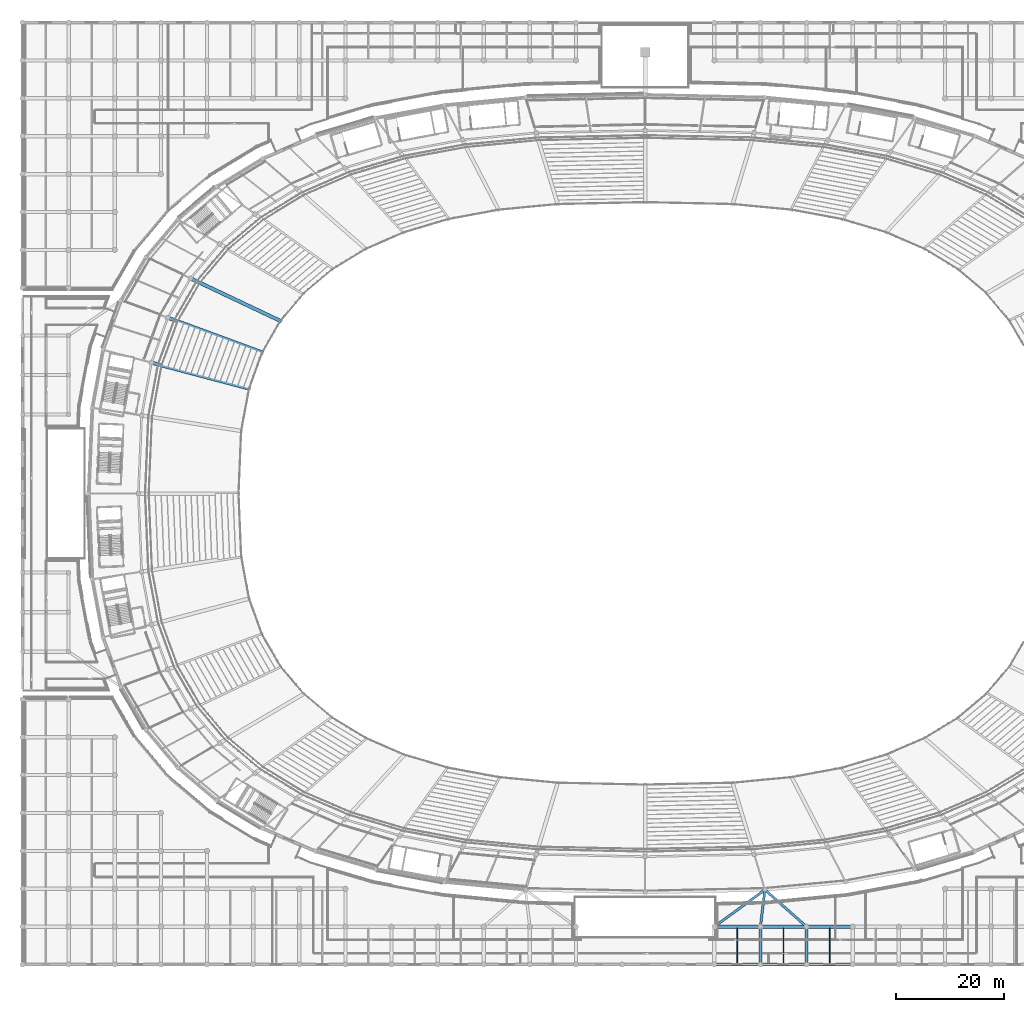
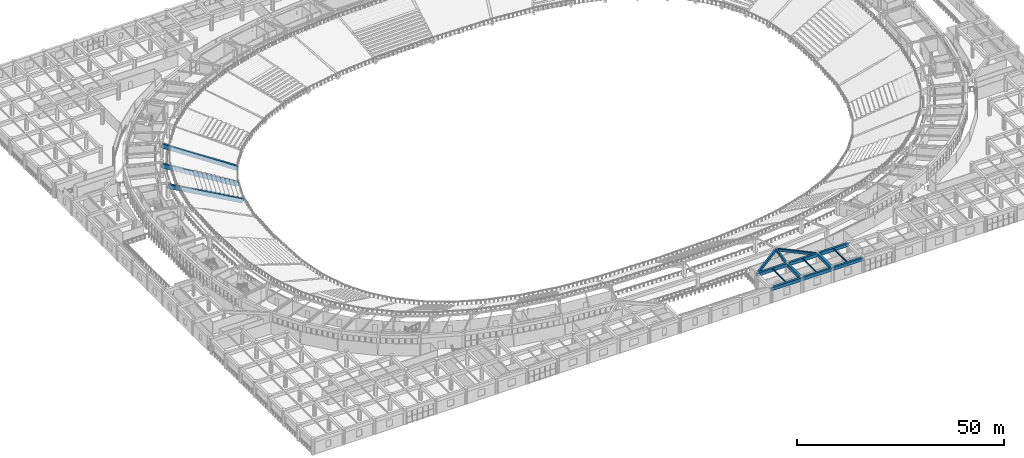
# One storey, part 31 of 137: 17 beams.
"""IFC4 building model written with IfcOpenShell, lengths in metres."""

import ifcopenshell
import ifcopenshell.guid

model = None  # the IFC model being written
_history = None  # IfcOwnerHistory: only IFC2X3 demands one
_inside = {}  # id of a spatial element -> (the spatial element, [elements in it])
_under = {}  # id of a project, library or spatial element -> (it, [spatial elements below it])
_declared = {}  # id of a project -> (the project, [libraries it declares])
_typed = {}  # id of a type object -> (the type object, [elements of that type])
_made_of = {}  # id of a material, layer set ... -> (it, [elements and type objects made of it])


def new_model(schema):
    """Start an empty IFC model of exactly this schema.

    Asked for "IFC4X3", IfcOpenShell would pick the latest addendum, in which some entities
    have other attributes; the version numbers below select the first issue.
    IFC2X3 requires an IfcOwnerHistory on every rooted entity: one is made here for all.
    """
    global model, _history
    if schema == "IFC4X3":
        model = ifcopenshell.file(schema_version=(4, 3, 0, 0))
    else:
        model = ifcopenshell.file(schema=schema)
    _inside.clear()
    _under.clear()
    _declared.clear()
    _typed.clear()
    _made_of.clear()
    _history = None
    if model.schema == "IFC2X3":
        org = make("IfcOrganization", Name="unknown")
        user = make(
            "IfcPersonAndOrganization",
            ThePerson=make("IfcPerson", FamilyName="unknown"),
            TheOrganization=org,
        )
        app = make(
            "IfcApplication",
            ApplicationDeveloper=org,
            Version="unknown",
            ApplicationFullName="unknown",
            ApplicationIdentifier="unknown",
        )
        _history = make(
            "IfcOwnerHistory",
            OwningUser=user,
            OwningApplication=app,
            ChangeAction="ADDED",
            CreationDate=0,
        )
    return model


def make(cls, **values):
    """One entity of the class cls with the attributes given. An attribute that is None is left unset."""
    return model.create_entity(
        cls, **{name: value for name, value in values.items() if value is not None}
    )


def rooted(cls, **values):
    """An entity with a GlobalId (a new one), such as an element, a storey or a relation."""
    return make(cls, GlobalId=ifcopenshell.guid.new(), OwnerHistory=_history, **values)


def si_unit(unit_type, name, prefix=None):
    """IfcSIUnit, for example si_unit("LENGTHUNIT", "METRE", prefix="MILLI")."""
    return make("IfcSIUnit", UnitType=unit_type, Prefix=prefix, Name=name)


def assignment(units):
    """IfcUnitAssignment: the units of a project."""
    return None if units is None else make("IfcUnitAssignment", Units=units)


def point(xyz):
    """IfcCartesianPoint."""
    return None if xyz is None else make("IfcCartesianPoint", Coordinates=xyz)


def direction(xyz):
    """IfcDirection."""
    return None if xyz is None else make("IfcDirection", DirectionRatios=xyz)


def frame(location, z_axis=None, x_axis=None):
    """IfcAxis2Placement3D, a coordinate frame: its origin and axes. An axis left out is left unset."""
    return make(
        "IfcAxis2Placement3D",
        Location=point(location),
        Axis=direction(z_axis),
        RefDirection=direction(x_axis),
    )


def frame_2d(location, x_axis=None):
    """IfcAxis2Placement2D, a coordinate frame in the plane: its origin and x axis."""
    return make(
        "IfcAxis2Placement2D", Location=point(location), RefDirection=direction(x_axis)
    )


def origin():
    """The frame at (0, 0, 0) with its axes left unset."""
    return frame((0.0, 0.0, 0.0))


def origin_2d():
    """The frame at (0, 0) in the plane with its x axis left unset."""
    return frame_2d((0.0, 0.0))


def place(relative_to, where):
    """IfcLocalPlacement: puts the frame where relative to a parent placement (None: the world)."""
    return make(
        "IfcLocalPlacement", PlacementRelTo=relative_to, RelativePlacement=where
    )


def context(
    kind, dimensions, precision=None, world=None, true_north=None, identifier=None
):
    """IfcGeometricRepresentationContext, for example the 3D "Model" context."""
    return make(
        "IfcGeometricRepresentationContext",
        ContextIdentifier=identifier,
        ContextType=kind,
        CoordinateSpaceDimension=dimensions,
        Precision=precision,
        WorldCoordinateSystem=world,
        TrueNorth=true_north,
    )


def subcontext(parent, identifier, kind, view, scale=None):
    """IfcGeometricRepresentationSubContext, for example "Body" below "Model"."""
    return make(
        "IfcGeometricRepresentationSubContext",
        ContextIdentifier=identifier,
        ContextType=kind,
        ParentContext=parent,
        TargetScale=scale,
        TargetView=view,
    )


def project(units=None, contexts=None):
    """IfcProject with its units and contexts."""
    return rooted(
        "IfcProject",
        Name="project",
        RepresentationContexts=contexts,
        UnitsInContext=assignment(units),
    )


def spatial(cls, under=None, at=None, **own):
    """A site, building, storey or space (cls), placed at a placement, below another one or the project."""
    s = rooted(cls, ObjectPlacement=at, **own)
    if under is not None:
        _under.setdefault(under.id(), (under, []))[1].append(s)
    return s


def profile(cls, at=None, kind="AREA", **sizes):
    """A parametric profile (cls). Its sizes go by their IFC names, for example OverallWidth=200.0."""
    return make(cls, ProfileType=kind, Position=at, **sizes)


def rectangle(**sizes):
    """IfcRectangleProfileDef."""
    return profile("IfcRectangleProfileDef", **sizes)


def i_section(**sizes):
    """IfcIShapeProfileDef."""
    return profile("IfcIShapeProfileDef", **sizes)


def extrude(swept, where, along, depth):
    """IfcExtrudedAreaSolid: the profile swept, set in the frame where, extruded along a direction by depth."""
    return make(
        "IfcExtrudedAreaSolid",
        SweptArea=swept,
        Position=where,
        ExtrudedDirection=direction(along),
        Depth=depth,
    )


def shape(context_of_items, identifier, shape_type, items):
    """IfcShapeRepresentation: the items that make up one representation, for example the "Body"."""
    return make(
        "IfcShapeRepresentation",
        ContextOfItems=context_of_items,
        RepresentationIdentifier=identifier,
        RepresentationType=shape_type,
        Items=items,
    )


def material(Name=None, Category=None):
    """IfcMaterial."""
    return make("IfcMaterial", Name=Name, Category=Category)


def material_profile(
    of_material, cross_section, Name=None, Category=None, Priority=None
):
    """IfcMaterialProfile: a cross section and its material."""
    return make(
        "IfcMaterialProfile",
        Name=Name,
        Material=of_material,
        Profile=cross_section,
        Priority=Priority,
        Category=Category,
    )


def profile_set(profiles, Name=None, composite=None):
    """IfcMaterialProfileSet."""
    return make(
        "IfcMaterialProfileSet",
        Name=Name,
        MaterialProfiles=profiles,
        CompositeProfile=composite,
    )


def made_of(thing, what):
    """Note that an element or type object is made of a material, layer set ...; save() writes the relation."""
    if what is not None:
        _made_of.setdefault(what.id(), (what, []))[1].append(thing)
    return thing


def type_object(cls, material=None, **own):
    """A type object (cls), such as IfcWallType, which elements share."""
    return made_of(rooted(cls, **own), material)


def element(
    cls,
    number,
    at=None,
    inside=None,
    cuts=None,
    type_object=None,
    material=None,
    context=None,
    identifier="Body",
    shape_type=None,
    held_by="IfcProductDefinitionShape",
    body=None,
    shapes=None,
    **own,
):
    """One element of the class cls, such as IfcWall. Its Tag is "e" and its number.

    at: its placement. inside: the storey or other place that contains it. cuts: it is an
    opening in that element (IfcRelVoidsElement). A single representation is given by context,
    identifier, shape_type and body (its items); several are given by shapes. held_by: the class
    of the entity that holds the representations. save() writes the other relations.
    """
    e = rooted(cls, Tag="e%d" % number, ObjectPlacement=at, **own)
    if body is not None:
        shapes = [shape(context, identifier, shape_type, body)]
    if shapes is not None:
        e.Representation = make(held_by, Representations=shapes)
    if inside is not None:
        _inside.setdefault(inside.id(), (inside, []))[1].append(e)
    if cuts is not None:
        rooted(
            "IfcRelVoidsElement", RelatingBuildingElement=cuts, RelatedOpeningElement=e
        )
    if type_object is not None:
        _typed.setdefault(type_object.id(), (type_object, []))[1].append(e)
    return made_of(e, material)


def aggregate(whole, parts):
    """IfcRelAggregates: a whole, such as a stair, and the parts it consists of."""
    return rooted("IfcRelAggregates", RelatingObject=whole, RelatedObjects=parts)


def save(model, path):
    """Write the relations noted so far, then the file.

    IfcRelAggregates (storeys below a building ...), IfcRelContainedInSpatialStructure (elements
    in a storey), IfcRelDefinesByType, IfcRelAssociatesMaterial and IfcRelDeclares: one each for
    every whole, place, type object, material and project.
    """
    for whole, parts in _under.values():
        aggregate(whole, parts)
    for where, things in _inside.values():
        rooted(
            "IfcRelContainedInSpatialStructure",
            RelatedElements=things,
            RelatingStructure=where,
        )
    for kind, things in _typed.values():
        rooted("IfcRelDefinesByType", RelatedObjects=things, RelatingType=kind)
    for what, things in _made_of.values():
        rooted("IfcRelAssociatesMaterial", RelatedObjects=things, RelatingMaterial=what)
    for by, libraries in _declared.values():
        rooted("IfcRelDeclares", RelatingContext=by, RelatedDefinitions=libraries)
    model.write(path)


model = new_model("IFC4")

# Units and contexts
model_context = context("Model", 3, precision=1e-05, world=origin(), true_north=direction((0.0, 1.0)))
body_context = subcontext(model_context, "Body", "Model", "MODEL_VIEW")
ifc_project = project(units=[si_unit("LENGTHUNIT", "METRE"), si_unit("AREAUNIT", "SQUARE_METRE"), si_unit("VOLUMEUNIT", "CUBIC_METRE"), si_unit("PLANEANGLEUNIT", "RADIAN"), si_unit("MASSUNIT", "GRAM", prefix="KILO")], contexts=[model_context])

# Site, building, storey
site_placement = place(None, origin())
site = spatial("IfcSite", under=ifc_project, at=site_placement, CompositionType="ELEMENT")
building_placement = place(site_placement, origin())
building = spatial("IfcBuilding", under=site, at=building_placement, Name="Mphavela Belvedere Stadium", CompositionType="ELEMENT")
storey_placement = place(building_placement, frame((0.0, 0.0, 19.199951171875)))
storey = spatial("IfcBuildingStorey", under=building, at=storey_placement, Name="L04", CompositionType="ELEMENT", Elevation=19.199951171875)

# Beams
ifc_material_1 = material(Name="Concrete C40/50", Category="concrete")
ifc_material_profile_1 = material_profile(ifc_material_1, rectangle(XDim=0.60009765625, YDim=0.949951171875, at=origin_2d()), Name="RC 600x950")
ifc_profile_set_1 = profile_set([ifc_material_profile_1], Name="Concrete C40/50")
beam_type_1 = type_object("IfcBeamType", Name="BM-ENTABLATURE-950", PredefinedType="SPANDREL", material=ifc_profile_set_1)
for number, where, z_axis, x_axis, name in (
    (1, (127.778076171875, 0.0, 4.06494140625), (1.0, 0.0, 0.0), (0.0, 1.0, 0.0), "South Axial Triumphal Peristyle Portico entablature beam X L04 16-1"),
    (2, (127.778076171875, 7.0, 4.06494140625), (1.0, 0.0, 0.0), (0.0, 1.0, 0.0), "South Axial Triumphal Peristyle Portico entablature beam X L04 16-2"),
):
    element("IfcBeam", number, at=place(storey_placement, frame(where, z_axis=z_axis, x_axis=x_axis)), inside=storey, type_object=beam_type_1, Name=name, PredefinedType="SPANDREL", context=body_context, shape_type="SweptSolid", body=[
        extrude(rectangle(XDim=0.60009765625, YDim=0.949951171875, at=origin_2d()), origin(), (0.0, 0.0, 1.0), 8.517822265625),
    ])
beam_1_placement = place(storey_placement, frame((136.2958984375, 0.0, 4.06494140625), z_axis=(1.0, 0.0, 0.0), x_axis=(0.0, 1.0, 0.0)))
element("IfcBeam", 3, at=beam_1_placement, inside=storey, type_object=beam_type_1, Name="South Axial Triumphal Peristyle Portico entablature beam X L04 17-1", PredefinedType="SPANDREL", context=body_context, shape_type="SweptSolid", body=[
    extrude(rectangle(XDim=0.60009765625, YDim=0.949951171875, at=origin_2d()), origin(), (0.0, 0.0, 1.0), 8.51904296875),
])
beam_2_placement = place(storey_placement, frame((136.2958984375, 0.0, 4.06494140625), z_axis=(0.0, 1.0, 0.0), x_axis=(-1.0, 0.0, 0.0)))
element("IfcBeam", 4, at=beam_2_placement, inside=storey, type_object=beam_type_1, Name="South Axial Triumphal Peristyle Portico entablature beam Y L04 17-1", PredefinedType="SPANDREL", context=body_context, shape_type="SweptSolid", body=[
    extrude(rectangle(XDim=0.60009765625, YDim=0.949951171875, at=origin_2d()), origin(), (0.0, 0.0, 1.0), 7.0),
])
beam_3_placement = place(storey_placement, frame((136.2958984375, 7.0, 4.06494140625), z_axis=(1.0, 0.0, 0.0), x_axis=(0.0, 1.0, 0.0)))
element("IfcBeam", 5, at=beam_3_placement, inside=storey, type_object=beam_type_1, Name="South Axial Triumphal Peristyle Portico entablature beam X L04 17-2", PredefinedType="SPANDREL", context=body_context, shape_type="SweptSolid", body=[
    extrude(rectangle(XDim=0.60009765625, YDim=0.949951171875, at=origin_2d()), origin(), (0.0, 0.0, 1.0), 8.51904296875),
])
beam_4_placement = place(storey_placement, frame((144.81494140625, 0.0, 4.06494140625), z_axis=(1.0, 0.0, 0.0), x_axis=(0.0, 1.0, 0.0)))
element("IfcBeam", 6, at=beam_4_placement, inside=storey, type_object=beam_type_1, Name="South Axial Triumphal Peristyle Portico entablature beam X L04 18-1", PredefinedType="SPANDREL", context=body_context, shape_type="SweptSolid", body=[
    extrude(rectangle(XDim=0.60009765625, YDim=0.949951171875, at=origin_2d()), origin(), (0.0, 0.0, 1.0), 8.51806640625),
])
beam_5_placement = place(storey_placement, frame((144.81494140625, 0.0, 4.06494140625), z_axis=(0.0, 1.0, 0.0), x_axis=(-1.0, 0.0, 0.0)))
element("IfcBeam", 7, at=beam_5_placement, inside=storey, type_object=beam_type_1, Name="South Axial Triumphal Peristyle Portico entablature beam Y L04 18-1", PredefinedType="SPANDREL", context=body_context, shape_type="SweptSolid", body=[
    extrude(rectangle(XDim=0.60009765625, YDim=0.949951171875, at=origin_2d()), origin(), (0.0, 0.0, 1.0), 7.0),
])
beam_6_placement = place(storey_placement, frame((144.81494140625, 7.0, 4.06494140625), z_axis=(1.0, 0.0, 0.0), x_axis=(0.0, 1.0, 0.0)))
element("IfcBeam", 8, at=beam_6_placement, inside=storey, type_object=beam_type_1, Name="South Axial Triumphal Peristyle Portico entablature beam X L04 18-2", PredefinedType="SPANDREL", context=body_context, shape_type="SweptSolid", body=[
    extrude(rectangle(XDim=0.60009765625, YDim=0.949951171875, at=origin_2d()), origin(), (0.0, 0.0, 1.0), 8.51806640625),
])
ifc_material_2 = material(Name="Steel S355", Category="steel")
ifc_material_profile_2 = material_profile(ifc_material_2, i_section(OverallWidth=0.169921875, OverallDepth=0.360107421875, WebThickness=0.008056640625, FlangeThickness=0.0126953125, at=origin_2d()), Name="IPE 360")
ifc_profile_set_2 = profile_set([ifc_material_profile_2], Name="Steel S355")
beam_type_2 = type_object("IfcBeamType", Name="BM-JOIST-IPE360", PredefinedType="JOIST", material=ifc_profile_set_2)
for number, where, z_axis, x_axis, name in (
    (9, (132.037109375, 0.300048828125, 4.360107421875), (0.0, 1.0, 0.0), (-1.0, 0.0, 0.0), "South Axial Triumphal Peristyle Portico secondary joist L04 16-1"),
    (10, (140.555419921875, 0.300048828125, 4.360107421875), (0.0, 1.0, 0.0), (-1.0, 0.0, 0.0), "South Axial Triumphal Peristyle Portico secondary joist L04 17-1"),
    (11, (149.073974609375, 0.300048828125, 4.360107421875), (0.0, 1.0, 0.0), (-1.0, 0.0, 0.0), "South Axial Triumphal Peristyle Portico secondary joist L04 18-1"),
):
    element("IfcBeam", number, at=place(storey_placement, frame(where, z_axis=z_axis, x_axis=x_axis)), inside=storey, type_object=beam_type_2, Name=name, PredefinedType="JOIST", context=body_context, shape_type="SweptSolid", body=[
        extrude(i_section(OverallWidth=0.169921875, OverallDepth=0.360107421875, WebThickness=0.008056640625, FlangeThickness=0.0126953125, at=origin_2d()), origin(), (0.0, 0.0, 1.0), 6.39990234375),
    ])
ifc_material_3 = material(Name="Precast concrete C45/55", Category="concrete")
ifc_material_profile_3 = material_profile(ifc_material_3, rectangle(XDim=0.64990234375, YDim=1.199951171875, at=origin_2d()), Name="PC 650x1200")
ifc_profile_set_3 = profile_set([ifc_material_profile_3], Name="Precast concrete C45/55")
beam_type_3 = type_object("IfcBeamType", Name="BM-RAKER-UPPER", PredefinedType="USERDEFINED", material=ifc_profile_set_3)
beam_7_placement = place(storey_placement, frame((47.6455078125, 118.881103515625, -4.349853515625), z_axis=(-0.832914269841, 0.39423956274, 0.388367076701), x_axis=(-0.427821517517, -0.903863235866, 0.0)))
element("IfcBeam", 12, at=beam_7_placement, inside=storey, type_object=beam_type_3, Name="Upper tier precast cantilever raker beam RK-U-21", ObjectType="RAKER BEAM", PredefinedType="USERDEFINED", context=body_context, shape_type="SweptSolid", body=[
    extrude(rectangle(XDim=0.64990234375, YDim=1.199951171875, at=origin_2d()), origin(), (0.0, 0.0, 1.0), 19.955322265625),
])
beam_8_placement = place(storey_placement, frame((44.27685546875, 113.0546875, -4.349853515625), z_axis=(-0.866159020373, 0.319104203127, 0.384631068654), x_axis=(-0.345698667521, -0.938345582008, 0.0)))
element("IfcBeam", 13, at=beam_8_placement, inside=storey, type_object=beam_type_3, Name="Upper tier precast cantilever raker beam RK-U-22", ObjectType="RAKER BEAM", PredefinedType="USERDEFINED", context=body_context, shape_type="SweptSolid", body=[
    extrude(rectangle(XDim=0.64990234375, YDim=1.199951171875, at=origin_2d()), origin(), (0.0, 0.0, 1.0), 20.149169921875),
])
beam_9_placement = place(storey_placement, frame((41.86083984375, 106.3955078125, -4.349853515625), z_axis=(-0.892744637737, 0.236753762179, 0.383346668024), x_axis=(-0.256336726267, -0.96658754532, 0.0)))
element("IfcBeam", 14, at=beam_9_placement, inside=storey, type_object=beam_type_3, Name="Upper tier precast cantilever raker beam RK-U-23", ObjectType="RAKER BEAM", PredefinedType="USERDEFINED", context=body_context, shape_type="SweptSolid", body=[
    extrude(rectangle(XDim=0.64990234375, YDim=1.199951171875, at=origin_2d()), origin(), (0.0, 0.0, 1.0), 20.216796875),
])
ifc_material_4 = material(Name="Concrete C40/50", Category="concrete")
ifc_material_profile_4 = material_profile(ifc_material_4, rectangle(XDim=0.449951171875, YDim=0.75, at=origin_2d()), Name="RC 450x750")
ifc_profile_set_4 = profile_set([ifc_material_profile_4], Name="Concrete C40/50")
beam_type_4 = type_object("IfcBeamType", Name="BM-RC450x750", PredefinedType="BEAM", material=ifc_profile_set_4)
beam_10_placement = place(storey_placement, frame((127.778076171875, 7.0, 4.06494140625), z_axis=(0.808075844415, 0.589078457994, 0.0), x_axis=(-0.589078457994, 0.808075844415, 0.0)))
element("IfcBeam", 15, at=beam_10_placement, inside=storey, type_object=beam_type_4, Name="South Axial Triumphal Peristyle Portico bowl link girder L04-2", PredefinedType="BEAM", context=body_context, shape_type="SweptSolid", body=[
    extrude(rectangle(XDim=0.449951171875, YDim=0.75, at=origin_2d()), origin(), (0.0, 0.0, 1.0), 11.553955078125),
])
beam_11_placement = place(storey_placement, frame((136.2958984375, 7.0, 4.06494140625), z_axis=(0.119413444072, 0.99284461492, 0.0), x_axis=(-0.99284461492, 0.119413444072, 0.0)))
element("IfcBeam", 16, at=beam_11_placement, inside=storey, type_object=beam_type_4, Name="South Axial Triumphal Peristyle Portico bowl link girder L04-4", PredefinedType="BEAM", context=body_context, shape_type="SweptSolid", body=[
    extrude(rectangle(XDim=0.449951171875, YDim=0.75, at=origin_2d()), origin(), (0.0, 0.0, 1.0), 6.855224609375),
])
beam_12_placement = place(storey_placement, frame((144.81494140625, 7.0, 4.06494140625), z_axis=(-0.749275353375, 0.662258593621, 0.0), x_axis=(-0.662258593621, -0.749275353375, 0.0)))
element("IfcBeam", 17, at=beam_12_placement, inside=storey, type_object=beam_type_4, Name="South Axial Triumphal Peristyle Portico bowl link girder L04-6", PredefinedType="BEAM", context=body_context, shape_type="SweptSolid", body=[
    extrude(rectangle(XDim=0.449951171875, YDim=0.75, at=origin_2d()), origin(), (0.0, 0.0, 1.0), 10.277099609375),
])

save(model, "model.ifc")
